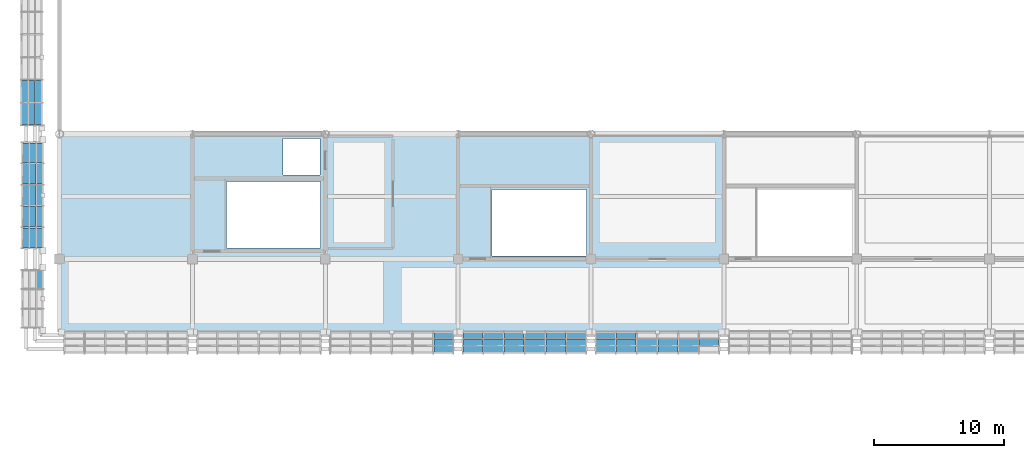
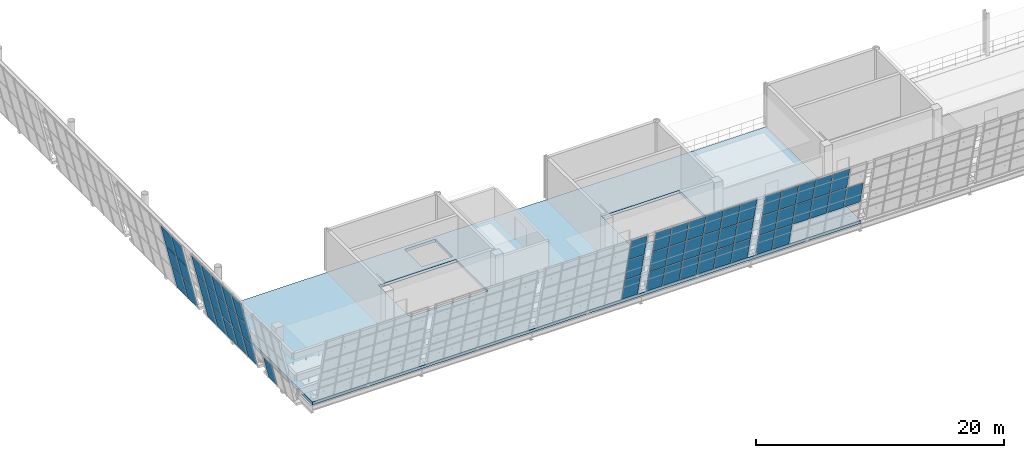
# One storey, part 101 of 157: 56 plates, 1 slab, 6 elements without a shape of their own.
"""IFC4 building model written with IfcOpenShell, lengths in metres."""

from ifc_helpers import new_model, si_unit, direction, frame, origin, place, context, subcontext, project, spatial, polyline, outline, extrude, material, layer, layer_set, type_object, element, aggregate, save


model = new_model("IFC4")

# Units and contexts
model_context = context("Model", 3, precision=1e-05, world=origin(), true_north=direction((0.0, 1.0)))
body_context = subcontext(model_context, "Body", "Model", "MODEL_VIEW")
ifc_project = project(units=[si_unit("LENGTHUNIT", "METRE"), si_unit("AREAUNIT", "SQUARE_METRE"), si_unit("VOLUMEUNIT", "CUBIC_METRE"), si_unit("PLANEANGLEUNIT", "RADIAN"), si_unit("MASSUNIT", "GRAM", prefix="KILO")], contexts=[model_context])

# Site, building, storey
site_placement = place(None, origin())
site = spatial("IfcSite", under=ifc_project, at=site_placement, CompositionType="ELEMENT")
building_placement = place(site_placement, origin())
building = spatial("IfcBuilding", under=site, at=building_placement, Name="Brelvane Convention Centre", CompositionType="ELEMENT")
storey_placement = place(building_placement, frame((0.0, 0.0, 10.800048828125)))
storey = spatial("IfcBuildingStorey", under=building, at=storey_placement, Name="L02", CompositionType="ELEMENT", Elevation=10.800048828125)

# Curtain wall, plates
ifc_material_1 = material(Name="Anodised Aluminium Alloy 6063-T6", Category="aluminium")
curtain_wall_type = type_object("IfcCurtainWallType", Name="Curtain Wall CW-HULL-S", PredefinedType="USERDEFINED", material=ifc_material_1)
curtain_wall_1_placement = place(storey_placement, origin())
curtain_wall_1 = element("IfcCurtainWall", 1, at=curtain_wall_1_placement, inside=storey, type_object=curtain_wall_type, Name="Curtain Wall CW-HULL-S L02-HULL-S-L02-03", ObjectType="UNITISED", PredefinedType="USERDEFINED")
ifc_material_2 = material(Name="Double Glazed Low-E Laminated Unit")
ifc_layer_1 = layer(ifc_material_2, 0.0380859375)
ifc_layer_set_1 = layer_set([ifc_layer_1], Name="Double Glazed Low-E Laminated Unit")
plate_type_1 = type_object("IfcPlateType", Name="Curtain Panel CW-PG2", PredefinedType="CURTAIN_PANEL", material=ifc_layer_set_1)
plate_1_placement = place(storey_placement, frame((28.7265625, 13.05517578125, 2.3232421875), z_axis=(0.0, 0.973573977576, 0.228371868203), x_axis=(1.0, 0.0, 0.0)))
plate_1 = element("IfcPlate", 2, at=plate_1_placement, type_object=plate_type_1, Name="CW-HULL-S panel 6.2", PredefinedType="CURTAIN_PANEL", context=body_context, shape_type="SweptSolid", body=[
    extrude(outline(polyline([(0.0, 0.0), (1.473388671875, 0.0), (1.473388671875, -2.2631758771022032), (0.0, -2.2631758771022032), (0.0, 0.0)])), origin(), (0.0, 0.0, -1.0), 0.0380859375),
])
plate_2_placement = place(storey_placement, frame((28.7265625, 12.51953125, 4.606689453125), z_axis=(0.0, 0.973586933466, 0.228316628794), x_axis=(1.0, 0.0, 0.0)))
plate_2 = element("IfcPlate", 3, at=plate_2_placement, type_object=plate_type_1, Name="CW-HULL-S panel 6.3", PredefinedType="CURTAIN_PANEL", context=body_context, shape_type="SweptSolid", body=[
    extrude(outline(polyline([(0.0, 0.0), (1.473388671875, 0.0), (1.473388671875, -2.2220204521674902), (0.0, -2.2220204521674902), (0.0, 0.0)])), origin(), (0.0, 0.0, -1.0), 0.0380859375),
])

curtain_wall_2_placement = place(storey_placement, origin())
curtain_wall_2 = element("IfcCurtainWall", 4, at=curtain_wall_2_placement, inside=storey, type_object=curtain_wall_type, Name="Curtain Wall CW-HULL-S L02-HULL-S-L02-04", ObjectType="UNITISED", PredefinedType="USERDEFINED")
plate_3_placement = place(storey_placement, frame((31.0, 13.05517578125, 2.3232421875), z_axis=(0.0, 0.973573977576, 0.228371868203), x_axis=(1.0, 0.0, 0.0)))
plate_3 = element("IfcPlate", 5, at=plate_3_placement, type_object=plate_type_1, Name="CW-HULL-S panel 1.2", PredefinedType="CURTAIN_PANEL", context=body_context, shape_type="SweptSolid", body=[
    extrude(outline(polyline([(0.0, 0.0), (1.473388671875, 0.0), (1.473388671875, -2.2631758771022032), (0.0, -2.2631758771022032), (0.0, 0.0)])), origin(), (0.0, 0.0, -1.0), 0.0380859375),
])
plate_4_placement = place(storey_placement, frame((31.0, 12.51953125, 4.606689453125), z_axis=(0.0, 0.973586933466, 0.228316628794), x_axis=(1.0, 0.0, 0.0)))
plate_4 = element("IfcPlate", 6, at=plate_4_placement, type_object=plate_type_1, Name="CW-HULL-S panel 1.3", PredefinedType="CURTAIN_PANEL", context=body_context, shape_type="SweptSolid", body=[
    extrude(outline(polyline([(0.0, 0.0), (1.473388671875, 0.0), (1.473388671875, -2.2220204521674902), (0.0, -2.2220204521674902), (0.0, 0.0)])), origin(), (0.0, 0.0, -1.0), 0.0380859375),
])
plate_5_placement = place(storey_placement, frame((32.55322265625, 13.05517578125, 2.3232421875), z_axis=(0.0, 0.973573977576, 0.228371868203), x_axis=(1.0, 0.0, 0.0)))
plate_5 = element("IfcPlate", 7, at=plate_5_placement, type_object=plate_type_1, Name="CW-HULL-S panel 2.2", PredefinedType="CURTAIN_PANEL", context=body_context, shape_type="SweptSolid", body=[
    extrude(outline(polyline([(0.0, 0.0), (1.513427734375, 0.0), (1.513427734375, -2.2631758771022032), (0.0, -2.2631758771022032), (0.0, 0.0)])), origin(), (0.0, 0.0, -1.0), 0.0380859375),
])
plate_6_placement = place(storey_placement, frame((32.55322265625, 12.51953125, 4.606689453125), z_axis=(0.0, 0.973586933466, 0.228316628794), x_axis=(1.0, 0.0, 0.0)))
plate_6 = element("IfcPlate", 8, at=plate_6_placement, type_object=plate_type_1, Name="CW-HULL-S panel 2.3", PredefinedType="CURTAIN_PANEL", context=body_context, shape_type="SweptSolid", body=[
    extrude(outline(polyline([(0.0, 0.0), (1.513427734375, 0.0), (1.513427734375, -2.2220204521674902), (0.0, -2.2220204521674902), (0.0, 0.0)])), origin(), (0.0, 0.0, -1.0), 0.0380859375),
])
plate_7_placement = place(storey_placement, frame((34.146728515625, 13.05517578125, 2.3232421875), z_axis=(0.0, 0.973573977576, 0.228371868203), x_axis=(1.0, 0.0, 0.0)))
plate_7 = element("IfcPlate", 9, at=plate_7_placement, type_object=plate_type_1, Name="CW-HULL-S panel 3.2", PredefinedType="CURTAIN_PANEL", context=body_context, shape_type="SweptSolid", body=[
    extrude(outline(polyline([(0.0, 0.0), (1.51318359375, 0.0), (1.51318359375, -2.2631758771022032), (0.0, -2.2631758771022032), (0.0, 0.0)])), origin(), (0.0, 0.0, -1.0), 0.0380859375),
])
plate_8_placement = place(storey_placement, frame((34.146728515625, 12.51953125, 4.606689453125), z_axis=(0.0, 0.973586933466, 0.228316628794), x_axis=(1.0, 0.0, 0.0)))
plate_8 = element("IfcPlate", 10, at=plate_8_placement, type_object=plate_type_1, Name="CW-HULL-S panel 3.3", PredefinedType="CURTAIN_PANEL", context=body_context, shape_type="SweptSolid", body=[
    extrude(outline(polyline([(0.0, 0.0), (1.51318359375, 0.0), (1.51318359375, -2.2220204521674902), (0.0, -2.2220204521674902), (0.0, 0.0)])), origin(), (0.0, 0.0, -1.0), 0.0380859375),
])
plate_9_placement = place(storey_placement, frame((35.739990234375, 13.05517578125, 2.3232421875), z_axis=(0.0, 0.973573977576, 0.228371868203), x_axis=(1.0, 0.0, 0.0)))
plate_9 = element("IfcPlate", 11, at=plate_9_placement, type_object=plate_type_1, Name="CW-HULL-S panel 4.2", PredefinedType="CURTAIN_PANEL", context=body_context, shape_type="SweptSolid", body=[
    extrude(outline(polyline([(0.0, 0.0), (1.513427734375, 0.0), (1.513427734375, -2.2631758771022032), (0.0, -2.2631758771022032), (0.0, 0.0)])), origin(), (0.0, 0.0, -1.0), 0.0380859375),
])
plate_10_placement = place(storey_placement, frame((35.739990234375, 12.51953125, 4.606689453125), z_axis=(0.0, 0.973586933466, 0.228316628794), x_axis=(1.0, 0.0, 0.0)))
plate_10 = element("IfcPlate", 12, at=plate_10_placement, type_object=plate_type_1, Name="CW-HULL-S panel 4.3", PredefinedType="CURTAIN_PANEL", context=body_context, shape_type="SweptSolid", body=[
    extrude(outline(polyline([(0.0, 0.0), (1.513427734375, 0.0), (1.513427734375, -2.2220204521674902), (0.0, -2.2220204521674902), (0.0, 0.0)])), origin(), (0.0, 0.0, -1.0), 0.0380859375),
])
plate_11_placement = place(storey_placement, frame((37.333251953125, 13.05517578125, 2.3232421875), z_axis=(0.0, 0.973573977576, 0.228371868203), x_axis=(1.0, 0.0, 0.0)))
plate_11 = element("IfcPlate", 13, at=plate_11_placement, type_object=plate_type_1, Name="CW-HULL-S panel 5.2", PredefinedType="CURTAIN_PANEL", context=body_context, shape_type="SweptSolid", body=[
    extrude(outline(polyline([(0.0, 0.0), (1.513427734375, 0.0), (1.513427734375, -2.2631758771022032), (0.0, -2.2631758771022032), (0.0, 0.0)])), origin(), (0.0, 0.0, -1.0), 0.0380859375),
])
plate_12_placement = place(storey_placement, frame((37.333251953125, 12.51953125, 4.606689453125), z_axis=(0.0, 0.973586933466, 0.228316628794), x_axis=(1.0, 0.0, 0.0)))
plate_12 = element("IfcPlate", 14, at=plate_12_placement, type_object=plate_type_1, Name="CW-HULL-S panel 5.3", PredefinedType="CURTAIN_PANEL", context=body_context, shape_type="SweptSolid", body=[
    extrude(outline(polyline([(0.0, 0.0), (1.513427734375, 0.0), (1.513427734375, -2.2220204521674902), (0.0, -2.2220204521674902), (0.0, 0.0)])), origin(), (0.0, 0.0, -1.0), 0.0380859375),
])
plate_13_placement = place(storey_placement, frame((38.9267578125, 13.05517578125, 2.3232421875), z_axis=(0.0, 0.973573977576, 0.228371868203), x_axis=(1.0, 0.0, 0.0)))
plate_13 = element("IfcPlate", 15, at=plate_13_placement, type_object=plate_type_1, Name="CW-HULL-S panel 6.2", PredefinedType="CURTAIN_PANEL", context=body_context, shape_type="SweptSolid", body=[
    extrude(outline(polyline([(0.0, 0.0), (1.47314453125, 0.0), (1.47314453125, -2.2631758771022032), (0.0, -2.2631758771022032), (0.0, 0.0)])), origin(), (0.0, 0.0, -1.0), 0.0380859375),
])
plate_14_placement = place(storey_placement, frame((38.9267578125, 12.51953125, 4.606689453125), z_axis=(0.0, 0.973586933466, 0.228316628794), x_axis=(1.0, 0.0, 0.0)))
plate_14 = element("IfcPlate", 16, at=plate_14_placement, type_object=plate_type_1, Name="CW-HULL-S panel 6.3", PredefinedType="CURTAIN_PANEL", context=body_context, shape_type="SweptSolid", body=[
    extrude(outline(polyline([(0.0, 0.0), (1.47314453125, 0.0), (1.47314453125, -2.2220204521674902), (0.0, -2.2220204521674902), (0.0, 0.0)])), origin(), (0.0, 0.0, -1.0), 0.0380859375),
])

curtain_wall_3_placement = place(storey_placement, origin())
curtain_wall_3 = element("IfcCurtainWall", 17, at=curtain_wall_3_placement, inside=storey, type_object=curtain_wall_type, Name="Curtain Wall CW-HULL-S L02-HULL-S-L02-05", ObjectType="UNITISED", PredefinedType="USERDEFINED")
plate_15_placement = place(storey_placement, frame((41.199951171875, 13.05517578125, 2.3232421875), z_axis=(0.0, 0.973573977576, 0.228371868203), x_axis=(1.0, 0.0, 0.0)))
plate_15 = element("IfcPlate", 18, at=plate_15_placement, type_object=plate_type_1, Name="CW-HULL-S panel 1.2", PredefinedType="CURTAIN_PANEL", context=body_context, shape_type="SweptSolid", body=[
    extrude(outline(polyline([(0.0, 0.0), (1.473388671875, 0.0), (1.473388671875, -2.2631758771022032), (0.0, -2.2631758771022032), (0.0, 0.0)])), origin(), (0.0, 0.0, -1.0), 0.0380859375),
])
plate_16_placement = place(storey_placement, frame((41.199951171875, 12.51953125, 4.606689453125), z_axis=(0.0, 0.973586933466, 0.228316628794), x_axis=(1.0, 0.0, 0.0)))
plate_16 = element("IfcPlate", 19, at=plate_16_placement, type_object=plate_type_1, Name="CW-HULL-S panel 1.3", PredefinedType="CURTAIN_PANEL", context=body_context, shape_type="SweptSolid", body=[
    extrude(outline(polyline([(0.0, 0.0), (1.473388671875, 0.0), (1.473388671875, -2.2220204521674902), (0.0, -2.2220204521674902), (0.0, 0.0)])), origin(), (0.0, 0.0, -1.0), 0.0380859375),
])
plate_17_placement = place(storey_placement, frame((42.75341796875, 13.05517578125, 2.3232421875), z_axis=(0.0, 0.973573977576, 0.228371868203), x_axis=(1.0, 0.0, 0.0)))
plate_17 = element("IfcPlate", 20, at=plate_17_placement, type_object=plate_type_1, Name="CW-HULL-S panel 2.2", PredefinedType="CURTAIN_PANEL", context=body_context, shape_type="SweptSolid", body=[
    extrude(outline(polyline([(0.0, 0.0), (1.51318359375, 0.0), (1.51318359375, -2.2631758771022032), (0.0, -2.2631758771022032), (0.0, 0.0)])), origin(), (0.0, 0.0, -1.0), 0.0380859375),
])
plate_18_placement = place(storey_placement, frame((42.75341796875, 12.51953125, 4.606689453125), z_axis=(0.0, 0.973586933466, 0.228316628794), x_axis=(1.0, 0.0, 0.0)))
plate_18 = element("IfcPlate", 21, at=plate_18_placement, type_object=plate_type_1, Name="CW-HULL-S panel 2.3", PredefinedType="CURTAIN_PANEL", context=body_context, shape_type="SweptSolid", body=[
    extrude(outline(polyline([(0.0, 0.0), (1.51318359375, 0.0), (1.51318359375, -2.2220204521674902), (0.0, -2.2220204521674902), (0.0, 0.0)])), origin(), (0.0, 0.0, -1.0), 0.0380859375),
])
plate_19_placement = place(storey_placement, frame((44.3466796875, 13.05517578125, 2.3232421875), z_axis=(0.0, 0.973573977576, 0.228371868203), x_axis=(1.0, 0.0, 0.0)))
plate_19 = element("IfcPlate", 22, at=plate_19_placement, type_object=plate_type_1, Name="CW-HULL-S panel 3.2", PredefinedType="CURTAIN_PANEL", context=body_context, shape_type="SweptSolid", body=[
    extrude(outline(polyline([(0.0, 0.0), (1.513427734375, 0.0), (1.513427734375, -2.2631758771022032), (0.0, -2.2631758771022032), (0.0, 0.0)])), origin(), (0.0, 0.0, -1.0), 0.0380859375),
])
plate_20_placement = place(storey_placement, frame((44.3466796875, 12.51953125, 4.606689453125), z_axis=(0.0, 0.973586933466, 0.228316628794), x_axis=(1.0, 0.0, 0.0)))
plate_20 = element("IfcPlate", 23, at=plate_20_placement, type_object=plate_type_1, Name="CW-HULL-S panel 3.3", PredefinedType="CURTAIN_PANEL", context=body_context, shape_type="SweptSolid", body=[
    extrude(outline(polyline([(0.0, 0.0), (1.513427734375, 0.0), (1.513427734375, -2.2220204521674902), (0.0, -2.2220204521674902), (0.0, 0.0)])), origin(), (0.0, 0.0, -1.0), 0.0380859375),
])
plate_21_placement = place(storey_placement, frame((45.93994140625, 13.05517578125, 2.3232421875), z_axis=(0.0, 0.973573977576, 0.228371868203), x_axis=(1.0, 0.0, 0.0)))
plate_21 = element("IfcPlate", 24, at=plate_21_placement, type_object=plate_type_1, Name="CW-HULL-S panel 4.2", PredefinedType="CURTAIN_PANEL", context=body_context, shape_type="SweptSolid", body=[
    extrude(outline(polyline([(0.0, 0.0), (1.513427734375, 0.0), (1.513427734375, -2.2631758771022032), (0.0, -2.2631758771022032), (0.0, 0.0)])), origin(), (0.0, 0.0, -1.0), 0.0380859375),
])
plate_22_placement = place(storey_placement, frame((45.93994140625, 12.51953125, 4.606689453125), z_axis=(0.0, 0.973586933466, 0.228316628794), x_axis=(1.0, 0.0, 0.0)))
plate_22 = element("IfcPlate", 25, at=plate_22_placement, type_object=plate_type_1, Name="CW-HULL-S panel 4.3", PredefinedType="CURTAIN_PANEL", context=body_context, shape_type="SweptSolid", body=[
    extrude(outline(polyline([(0.0, 0.0), (1.513427734375, 0.0), (1.513427734375, -2.2220204521674902), (0.0, -2.2220204521674902), (0.0, 0.0)])), origin(), (0.0, 0.0, -1.0), 0.0380859375),
])
plate_23_placement = place(storey_placement, frame((47.533447265625, 13.05517578125, 2.3232421875), z_axis=(0.0, 0.973573977576, 0.228371868203), x_axis=(1.0, 0.0, 0.0)))
plate_23 = element("IfcPlate", 26, at=plate_23_placement, type_object=plate_type_1, Name="CW-HULL-S panel 5.2", PredefinedType="CURTAIN_PANEL", context=body_context, shape_type="SweptSolid", body=[
    extrude(outline(polyline([(0.0, 0.0), (1.51318359375, 0.0), (1.51318359375, -2.2631758771022032), (0.0, -2.2631758771022032), (0.0, 0.0)])), origin(), (0.0, 0.0, -1.0), 0.0380859375),
])
plate_24_placement = place(storey_placement, frame((47.533447265625, 12.51953125, 4.606689453125), z_axis=(0.0, 0.973586933466, 0.228316628794), x_axis=(1.0, 0.0, 0.0)))
plate_24 = element("IfcPlate", 27, at=plate_24_placement, type_object=plate_type_1, Name="CW-HULL-S panel 5.3", PredefinedType="CURTAIN_PANEL", context=body_context, shape_type="SweptSolid", body=[
    extrude(outline(polyline([(0.0, 0.0), (1.51318359375, 0.0), (1.51318359375, -2.2220204521674902), (0.0, -2.2220204521674902), (0.0, 0.0)])), origin(), (0.0, 0.0, -1.0), 0.0380859375),
])
plate_25_placement = place(storey_placement, frame((49.126708984375, 13.05517578125, 2.3232421875), z_axis=(0.0, 0.973573977576, 0.228371868203), x_axis=(1.0, 0.0, 0.0)))
plate_25 = element("IfcPlate", 28, at=plate_25_placement, type_object=plate_type_1, Name="CW-HULL-S panel 6.2", PredefinedType="CURTAIN_PANEL", context=body_context, shape_type="SweptSolid", body=[
    extrude(outline(polyline([(0.0, 0.0), (1.473388671875, 0.0), (1.473388671875, -2.2631758771022032), (0.0, -2.2631758771022032), (0.0, 0.0)])), origin(), (0.0, 0.0, -1.0), 0.0380859375),
])

curtain_wall_4_placement = place(storey_placement, origin())
curtain_wall_4 = element("IfcCurtainWall", 29, at=curtain_wall_4_placement, inside=storey, type_object=curtain_wall_type, Name="Curtain Wall CW-HULL-S L02-HULL-W-GAL-L02-B", ObjectType="UNITISED", PredefinedType="USERDEFINED")
plate_26_placement = place(storey_placement, frame((-1.817138671875, 20.080078125, 2.2900390625), z_axis=(0.973570660976, 0.0, 0.228386006766), x_axis=(0.0, 1.0, 0.0)))
plate_26 = element("IfcPlate", 30, at=plate_26_placement, type_object=plate_type_1, Name="CW-HULL-S panel 1.2", PredefinedType="CURTAIN_PANEL", context=body_context, shape_type="SweptSolid", body=[
    extrude(outline(polyline([(0.0, 0.0), (1.52001953125, 0.0), (1.52001953125, 2.2288283346833184), (0.0, 2.2288283346833184), (0.0, 0.0)])), origin(), (0.0, 0.0, -1.0), 0.0380859375),
])
plate_27_placement = place(storey_placement, frame((-2.3447265625, 20.080078125, 4.5400390625), z_axis=(0.973558945432, 0.0, 0.228435942377), x_axis=(0.0, 1.0, 0.0)))
plate_27 = element("IfcPlate", 31, at=plate_27_placement, type_object=plate_type_1, Name="CW-HULL-S panel 1.3", PredefinedType="CURTAIN_PANEL", context=body_context, shape_type="SweptSolid", body=[
    extrude(outline(polyline([(0.0, 0.0), (1.52001953125, 0.0), (1.52001953125, 2.18772866552563), (0.0, 2.18772866552563), (0.0, 0.0)])), origin(), (0.0, 0.0, -1.0), 0.0380859375),
])
plate_28_placement = place(storey_placement, frame((-1.817138671875, 21.679931640625, 2.2900390625), z_axis=(0.973570660976, 0.0, 0.228386006766), x_axis=(0.0, 1.0, 0.0)))
plate_28 = element("IfcPlate", 32, at=plate_28_placement, type_object=plate_type_1, Name="CW-HULL-S panel 2.2", PredefinedType="CURTAIN_PANEL", context=body_context, shape_type="SweptSolid", body=[
    extrude(outline(polyline([(0.0, 0.0), (1.56005859375, 0.0), (1.56005859375, 2.2288283346833184), (0.0, 2.2288283346833184), (0.0, 0.0)])), origin(), (0.0, 0.0, -1.0), 0.0380859375),
])
plate_29_placement = place(storey_placement, frame((-2.3447265625, 21.679931640625, 4.5400390625), z_axis=(0.973558945432, 0.0, 0.228435942377), x_axis=(0.0, 1.0, 0.0)))
plate_29 = element("IfcPlate", 33, at=plate_29_placement, type_object=plate_type_1, Name="CW-HULL-S panel 2.3", PredefinedType="CURTAIN_PANEL", context=body_context, shape_type="SweptSolid", body=[
    extrude(outline(polyline([(0.0, 0.0), (1.56005859375, 0.0), (1.56005859375, 2.18772866552563), (0.0, 2.18772866552563), (0.0, 0.0)])), origin(), (0.0, 0.0, -1.0), 0.0380859375),
])
plate_30_placement = place(storey_placement, frame((-1.817138671875, 23.320068359375, 2.2900390625), z_axis=(0.973570660976, 0.0, 0.228386006766), x_axis=(0.0, 1.0, 0.0)))
plate_30 = element("IfcPlate", 34, at=plate_30_placement, type_object=plate_type_1, Name="CW-HULL-S panel 3.2", PredefinedType="CURTAIN_PANEL", context=body_context, shape_type="SweptSolid", body=[
    extrude(outline(polyline([(0.0, 0.0), (1.559814453125, 0.0), (1.559814453125, 2.2288283346833184), (0.0, 2.2288283346833184), (0.0, 0.0)])), origin(), (0.0, 0.0, -1.0), 0.0380859375),
])
plate_31_placement = place(storey_placement, frame((-2.3447265625, 23.320068359375, 4.5400390625), z_axis=(0.973558945432, 0.0, 0.228435942377), x_axis=(0.0, 1.0, 0.0)))
plate_31 = element("IfcPlate", 35, at=plate_31_placement, type_object=plate_type_1, Name="CW-HULL-S panel 3.3", PredefinedType="CURTAIN_PANEL", context=body_context, shape_type="SweptSolid", body=[
    extrude(outline(polyline([(0.0, 0.0), (1.559814453125, 0.0), (1.559814453125, 2.18772866552563), (0.0, 2.18772866552563), (0.0, 0.0)])), origin(), (0.0, 0.0, -1.0), 0.0380859375),
])
plate_32_placement = place(storey_placement, frame((-1.817138671875, 24.9599609375, 2.2900390625), z_axis=(0.973570660976, 0.0, 0.228386006766), x_axis=(0.0, 1.0, 0.0)))
plate_32 = element("IfcPlate", 36, at=plate_32_placement, type_object=plate_type_1, Name="CW-HULL-S panel 4.2", PredefinedType="CURTAIN_PANEL", context=body_context, shape_type="SweptSolid", body=[
    extrude(outline(polyline([(0.0, 0.0), (1.56005859375, 0.0), (1.56005859375, 2.2288283346833184), (0.0, 2.2288283346833184), (0.0, 0.0)])), origin(), (0.0, 0.0, -1.0), 0.0380859375),
])
plate_33_placement = place(storey_placement, frame((-2.3447265625, 24.9599609375, 4.5400390625), z_axis=(0.973558945432, 0.0, 0.228435942377), x_axis=(0.0, 1.0, 0.0)))
plate_33 = element("IfcPlate", 37, at=plate_33_placement, type_object=plate_type_1, Name="CW-HULL-S panel 4.3", PredefinedType="CURTAIN_PANEL", context=body_context, shape_type="SweptSolid", body=[
    extrude(outline(polyline([(0.0, 0.0), (1.56005859375, 0.0), (1.56005859375, 2.18772866552563), (0.0, 2.18772866552563), (0.0, 0.0)])), origin(), (0.0, 0.0, -1.0), 0.0380859375),
])
plate_34_placement = place(storey_placement, frame((-1.817138671875, 26.60009765625, 2.2900390625), z_axis=(0.973570660976, 0.0, 0.228386006766), x_axis=(0.0, 1.0, 0.0)))
plate_34 = element("IfcPlate", 38, at=plate_34_placement, type_object=plate_type_1, Name="CW-HULL-S panel 5.2", PredefinedType="CURTAIN_PANEL", context=body_context, shape_type="SweptSolid", body=[
    extrude(outline(polyline([(0.0, 0.0), (1.52001953125, 0.0), (1.52001953125, 2.2288283346833184), (0.0, 2.2288283346833184), (0.0, 0.0)])), origin(), (0.0, 0.0, -1.0), 0.0380859375),
])
plate_35_placement = place(storey_placement, frame((-2.3447265625, 26.60009765625, 4.5400390625), z_axis=(0.973558945432, 0.0, 0.228435942377), x_axis=(0.0, 1.0, 0.0)))
plate_35 = element("IfcPlate", 39, at=plate_35_placement, type_object=plate_type_1, Name="CW-HULL-S panel 5.3", PredefinedType="CURTAIN_PANEL", context=body_context, shape_type="SweptSolid", body=[
    extrude(outline(polyline([(0.0, 0.0), (1.52001953125, 0.0), (1.52001953125, 2.18772866552563), (0.0, 2.18772866552563), (0.0, 0.0)])), origin(), (0.0, 0.0, -1.0), 0.0380859375),
])

curtain_wall_5_placement = place(storey_placement, origin())
curtain_wall_5 = element("IfcCurtainWall", 40, at=curtain_wall_5_placement, inside=storey, type_object=curtain_wall_type, Name="Curtain Wall CW-HULL-S L02-HULL-W-L02-1", ObjectType="UNITISED", PredefinedType="USERDEFINED")
plate_36_placement = place(storey_placement, frame((-1.89599609375, 29.52490234375, 2.284912109375), z_axis=(0.973585642401, 0.0, 0.228322134079), x_axis=(0.0, 1.0, 0.0)))
plate_36 = element("IfcPlate", 41, at=plate_36_placement, type_object=plate_type_1, Name="CW-HULL-S panel 1.2", PredefinedType="CURTAIN_PANEL", context=body_context, shape_type="SweptSolid", body=[
    extrude(outline(polyline([(0.0, 0.0), (1.6376953125, 0.0), (1.6376953125, 2.239075378359636), (0.0, 2.239075378359636), (0.0, 0.0)])), origin(), (0.0, 0.0, -1.0), 0.0380859375),
])
plate_37_placement = place(storey_placement, frame((-2.423583984375, 29.52490234375, 4.534912109375), z_axis=(0.973572440639, 0.0, 0.228378420232), x_axis=(0.0, 1.0, 0.0)))
plate_37 = element("IfcPlate", 42, at=plate_37_placement, type_object=plate_type_1, Name="CW-HULL-S panel 1.3", PredefinedType="CURTAIN_PANEL", context=body_context, shape_type="SweptSolid", body=[
    extrude(outline(polyline([(0.0, 0.0), (1.6376953125, 0.0), (1.6376953125, 2.203245944227275), (0.0, 2.203245944227275), (0.0, 0.0)])), origin(), (0.0, 0.0, -1.0), 0.0380859375),
])
plate_38_placement = place(storey_placement, frame((-1.89599609375, 31.237548828125, 2.284912109375), z_axis=(0.973585642401, 0.0, 0.228322134079), x_axis=(0.0, 1.0, 0.0)))
plate_38 = element("IfcPlate", 43, at=plate_38_placement, type_object=plate_type_1, Name="CW-HULL-S panel 2.2", PredefinedType="CURTAIN_PANEL", context=body_context, shape_type="SweptSolid", body=[
    extrude(outline(polyline([(0.0, 0.0), (1.675048828125, 0.0), (1.675048828125, 2.2390753783596367), (0.0, 2.2390753783596367), (0.0, 0.0)])), origin(), (0.0, 0.0, -1.0), 0.0380859375),
])
plate_39_placement = place(storey_placement, frame((-2.423583984375, 31.237548828125, 4.534912109375), z_axis=(0.973572440639, 0.0, 0.228378420232), x_axis=(0.0, 1.0, 0.0)))
plate_39 = element("IfcPlate", 44, at=plate_39_placement, type_object=plate_type_1, Name="CW-HULL-S panel 2.3", PredefinedType="CURTAIN_PANEL", context=body_context, shape_type="SweptSolid", body=[
    extrude(outline(polyline([(0.0, 0.0), (1.675048828125, 0.0), (1.675048828125, 2.203245944227275), (0.0, 2.203245944227275), (0.0, 0.0)])), origin(), (0.0, 0.0, -1.0), 0.0380859375),
])

# Plate
ifc_material_3 = material(Name="Patinated Copper-Bronze Alloy C22000")
ifc_layer_2 = layer(ifc_material_3, 0.055908203125)
ifc_layer_set_2 = layer_set([ifc_layer_2], Name="Patinated Copper-Bronze Alloy C22000")
plate_type_2 = type_object("IfcPlateType", Name="Curtain Panel CW-PS2", PredefinedType="CURTAIN_PANEL", material=ifc_layer_set_2)
plate_40_placement = place(storey_placement, frame((28.7265625, 13.581298828125, 0.079833984375), z_axis=(0.0, 0.973562505213, 0.228420770606), x_axis=(1.0, 0.0, 0.0)))
plate_40 = element("IfcPlate", 45, at=plate_40_placement, type_object=plate_type_2, Name="CW-HULL-S panel 6.1", PredefinedType="CURTAIN_PANEL", context=body_context, shape_type="SweptSolid", body=[
    extrude(outline(polyline([(0.0, 0.0), (1.473388671875, 0.0), (1.473388671875, -2.222076206244725), (0.0, -2.222076206244725), (0.0, 0.0)])), origin(), (0.0, 0.0, -1.0), 0.0380859375),
])

aggregate(curtain_wall_1, [plate_40, plate_1, plate_2])

plate_41_placement = place(storey_placement, frame((31.0, 13.581298828125, 0.079833984375), z_axis=(0.0, 0.973562505213, 0.228420770606), x_axis=(1.0, 0.0, 0.0)))
plate_41 = element("IfcPlate", 46, at=plate_41_placement, type_object=plate_type_2, Name="CW-HULL-S panel 1.1", PredefinedType="CURTAIN_PANEL", context=body_context, shape_type="SweptSolid", body=[
    extrude(outline(polyline([(0.0, 0.0), (1.473388671875, 0.0), (1.473388671875, -2.222076206244725), (0.0, -2.222076206244725), (0.0, 0.0)])), origin(), (0.0, 0.0, -1.0), 0.0380859375),
])

plate_42_placement = place(storey_placement, frame((32.55322265625, 13.581298828125, 0.079833984375), z_axis=(0.0, 0.973562505213, 0.228420770606), x_axis=(1.0, 0.0, 0.0)))
plate_42 = element("IfcPlate", 47, at=plate_42_placement, type_object=plate_type_2, Name="CW-HULL-S panel 2.1", PredefinedType="CURTAIN_PANEL", context=body_context, shape_type="SweptSolid", body=[
    extrude(outline(polyline([(0.0, 0.0), (1.513427734375, 0.0), (1.513427734375, -2.2220762062447244), (0.0, -2.2220762062447244), (0.0, 0.0)])), origin(), (0.0, 0.0, -1.0), 0.0380859375),
])

plate_43_placement = place(storey_placement, frame((34.146728515625, 13.581298828125, 0.079833984375), z_axis=(0.0, 0.973562505213, 0.228420770606), x_axis=(1.0, 0.0, 0.0)))
plate_43 = element("IfcPlate", 48, at=plate_43_placement, type_object=plate_type_2, Name="CW-HULL-S panel 3.1", PredefinedType="CURTAIN_PANEL", context=body_context, shape_type="SweptSolid", body=[
    extrude(outline(polyline([(0.0, 0.0), (1.51318359375, 0.0), (1.51318359375, -2.2220762062447244), (0.0, -2.2220762062447244), (0.0, 0.0)])), origin(), (0.0, 0.0, -1.0), 0.0380859375),
])

plate_44_placement = place(storey_placement, frame((35.739990234375, 13.581298828125, 0.079833984375), z_axis=(0.0, 0.973562505213, 0.228420770606), x_axis=(1.0, 0.0, 0.0)))
plate_44 = element("IfcPlate", 49, at=plate_44_placement, type_object=plate_type_2, Name="CW-HULL-S panel 4.1", PredefinedType="CURTAIN_PANEL", context=body_context, shape_type="SweptSolid", body=[
    extrude(outline(polyline([(0.0, 0.0), (1.513427734375, 0.0), (1.513427734375, -2.2220762062447244), (0.0, -2.2220762062447244), (0.0, 0.0)])), origin(), (0.0, 0.0, -1.0), 0.0380859375),
])

plate_45_placement = place(storey_placement, frame((37.333251953125, 13.581298828125, 0.079833984375), z_axis=(0.0, 0.973562505213, 0.228420770606), x_axis=(1.0, 0.0, 0.0)))
plate_45 = element("IfcPlate", 50, at=plate_45_placement, type_object=plate_type_2, Name="CW-HULL-S panel 5.1", PredefinedType="CURTAIN_PANEL", context=body_context, shape_type="SweptSolid", body=[
    extrude(outline(polyline([(0.0, 0.0), (1.513427734375, 0.0), (1.513427734375, -2.2220762062447244), (0.0, -2.2220762062447244), (0.0, 0.0)])), origin(), (0.0, 0.0, -1.0), 0.0380859375),
])

plate_46_placement = place(storey_placement, frame((38.9267578125, 13.581298828125, 0.079833984375), z_axis=(0.0, 0.973562505213, 0.228420770606), x_axis=(1.0, 0.0, 0.0)))
plate_46 = element("IfcPlate", 51, at=plate_46_placement, type_object=plate_type_2, Name="CW-HULL-S panel 6.1", PredefinedType="CURTAIN_PANEL", context=body_context, shape_type="SweptSolid", body=[
    extrude(outline(polyline([(0.0, 0.0), (1.47314453125, 0.0), (1.47314453125, -2.222076206244725), (0.0, -2.222076206244725), (0.0, 0.0)])), origin(), (0.0, 0.0, -1.0), 0.0380859375),
])

aggregate(curtain_wall_2, [plate_41, plate_3, plate_4, plate_42, plate_5, plate_6, plate_43, plate_7, plate_8, plate_44, plate_9, plate_10, plate_45, plate_11, plate_12, plate_46, plate_13, plate_14])

plate_47_placement = place(storey_placement, frame((41.199951171875, 13.581298828125, 0.079833984375), z_axis=(0.0, 0.973562505213, 0.228420770606), x_axis=(1.0, 0.0, 0.0)))
plate_47 = element("IfcPlate", 52, at=plate_47_placement, type_object=plate_type_2, Name="CW-HULL-S panel 1.1", PredefinedType="CURTAIN_PANEL", context=body_context, shape_type="SweptSolid", body=[
    extrude(outline(polyline([(0.0, 0.0), (1.473388671875, 0.0), (1.473388671875, -2.222076206244725), (0.0, -2.222076206244725), (0.0, 0.0)])), origin(), (0.0, 0.0, -1.0), 0.0380859375),
])

plate_48_placement = place(storey_placement, frame((42.75341796875, 13.581298828125, 0.079833984375), z_axis=(0.0, 0.973562505213, 0.228420770606), x_axis=(1.0, 0.0, 0.0)))
plate_48 = element("IfcPlate", 53, at=plate_48_placement, type_object=plate_type_2, Name="CW-HULL-S panel 2.1", PredefinedType="CURTAIN_PANEL", context=body_context, shape_type="SweptSolid", body=[
    extrude(outline(polyline([(0.0, 0.0), (1.51318359375, 0.0), (1.51318359375, -2.2220762062447244), (0.0, -2.2220762062447244), (0.0, 0.0)])), origin(), (0.0, 0.0, -1.0), 0.0380859375),
])

aggregate(curtain_wall_3, [plate_47, plate_15, plate_16, plate_48, plate_17, plate_18, plate_19, plate_20, plate_21, plate_22, plate_23, plate_24, plate_25])

# Curtain wall, plate
curtain_wall_6_placement = place(storey_placement, origin())
curtain_wall_6 = element("IfcCurtainWall", 54, at=curtain_wall_6_placement, inside=storey, type_object=curtain_wall_type, Name="Curtain Wall CW-HULL-S L02-HULL-W-GAL-L02-A", ObjectType="UNITISED", PredefinedType="USERDEFINED")
plate_49_placement = place(storey_placement, frame((-1.298828125, 16.93994140625, 0.079833984375), z_axis=(0.973589575883, 0.0, 0.228305360717), x_axis=(0.0, 1.0, 0.0)))
plate_49 = element("IfcPlate", 55, at=plate_49_placement, type_object=plate_type_2, Name="CW-HULL-S panel 3.1", PredefinedType="CURTAIN_PANEL", context=body_context, shape_type="SweptSolid", body=[
    extrude(outline(polyline([(0.0, 0.0), (1.380126953125, 0.0), (1.380126953125, 2.187910600001329), (0.0, 2.187910600001329), (0.0, 0.0)])), origin(), (0.0, 0.0, -1.0), 0.0380859375),
])
aggregate(curtain_wall_6, [plate_49])

# Plate
plate_50_placement = place(storey_placement, frame((-1.298828125, 20.080078125, 0.079833984375), z_axis=(0.973589575883, 0.0, 0.228305360717), x_axis=(0.0, 1.0, 0.0)))
plate_50 = element("IfcPlate", 56, at=plate_50_placement, type_object=plate_type_2, Name="CW-HULL-S panel 1.1", PredefinedType="CURTAIN_PANEL", context=body_context, shape_type="SweptSolid", body=[
    extrude(outline(polyline([(0.0, 0.0), (1.52001953125, 0.0), (1.52001953125, 2.187910600001329), (0.0, 2.187910600001329), (0.0, 0.0)])), origin(), (0.0, 0.0, -1.0), 0.0380859375),
])

plate_51_placement = place(storey_placement, frame((-1.298828125, 21.679931640625, 0.079833984375), z_axis=(0.973589575883, 0.0, 0.228305360717), x_axis=(0.0, 1.0, 0.0)))
plate_51 = element("IfcPlate", 57, at=plate_51_placement, type_object=plate_type_2, Name="CW-HULL-S panel 2.1", PredefinedType="CURTAIN_PANEL", context=body_context, shape_type="SweptSolid", body=[
    extrude(outline(polyline([(0.0, 0.0), (1.56005859375, 0.0), (1.56005859375, 2.187910600001329), (0.0, 2.187910600001329), (0.0, 0.0)])), origin(), (0.0, 0.0, -1.0), 0.0380859375),
])

plate_52_placement = place(storey_placement, frame((-1.298828125, 23.320068359375, 0.079833984375), z_axis=(0.973589575883, 0.0, 0.228305360717), x_axis=(0.0, 1.0, 0.0)))
plate_52 = element("IfcPlate", 58, at=plate_52_placement, type_object=plate_type_2, Name="CW-HULL-S panel 3.1", PredefinedType="CURTAIN_PANEL", context=body_context, shape_type="SweptSolid", body=[
    extrude(outline(polyline([(0.0, 0.0), (1.559814453125, 0.0), (1.559814453125, 2.187910600001329), (0.0, 2.187910600001329), (0.0, 0.0)])), origin(), (0.0, 0.0, -1.0), 0.0380859375),
])

plate_53_placement = place(storey_placement, frame((-1.298828125, 24.9599609375, 0.079833984375), z_axis=(0.973589575883, 0.0, 0.228305360717), x_axis=(0.0, 1.0, 0.0)))
plate_53 = element("IfcPlate", 59, at=plate_53_placement, type_object=plate_type_2, Name="CW-HULL-S panel 4.1", PredefinedType="CURTAIN_PANEL", context=body_context, shape_type="SweptSolid", body=[
    extrude(outline(polyline([(0.0, 0.0), (1.56005859375, 0.0), (1.56005859375, 2.187910600001329), (0.0, 2.187910600001329), (0.0, 0.0)])), origin(), (0.0, 0.0, -1.0), 0.0380859375),
])

plate_54_placement = place(storey_placement, frame((-1.298828125, 26.60009765625, 0.079833984375), z_axis=(0.973589575883, 0.0, 0.228305360717), x_axis=(0.0, 1.0, 0.0)))
plate_54 = element("IfcPlate", 60, at=plate_54_placement, type_object=plate_type_2, Name="CW-HULL-S panel 5.1", PredefinedType="CURTAIN_PANEL", context=body_context, shape_type="SweptSolid", body=[
    extrude(outline(polyline([(0.0, 0.0), (1.52001953125, 0.0), (1.52001953125, 2.187910600001329), (0.0, 2.187910600001329), (0.0, 0.0)])), origin(), (0.0, 0.0, -1.0), 0.0380859375),
])

aggregate(curtain_wall_4, [plate_50, plate_26, plate_27, plate_51, plate_28, plate_29, plate_52, plate_30, plate_31, plate_53, plate_32, plate_33, plate_54, plate_34, plate_35])

plate_55_placement = place(storey_placement, frame((-1.37646484375, 29.52490234375, 0.070068359375), z_axis=(0.973566660245, 0.0, 0.228403060531), x_axis=(0.0, 1.0, 0.0)))
plate_55 = element("IfcPlate", 61, at=plate_55_placement, type_object=plate_type_2, Name="CW-HULL-S panel 1.1", PredefinedType="CURTAIN_PANEL", context=body_context, shape_type="SweptSolid", body=[
    extrude(outline(polyline([(0.0, 0.0), (1.6376953125, 0.0), (1.6376953125, 2.203008256348711), (0.0, 2.203008256348711), (0.0, 0.0)])), origin(), (0.0, 0.0, -1.0), 0.0380859375),
])

plate_56_placement = place(storey_placement, frame((-1.37646484375, 31.237548828125, 0.070068359375), z_axis=(0.973566660245, 0.0, 0.228403060531), x_axis=(0.0, 1.0, 0.0)))
plate_56 = element("IfcPlate", 62, at=plate_56_placement, type_object=plate_type_2, Name="CW-HULL-S panel 2.1", PredefinedType="CURTAIN_PANEL", context=body_context, shape_type="SweptSolid", body=[
    extrude(outline(polyline([(0.0, 0.0), (1.675048828125, 0.0), (1.675048828125, 2.2030082563487112), (0.0, 2.2030082563487112), (0.0, 0.0)])), origin(), (0.0, 0.0, -1.0), 0.0380859375),
])

aggregate(curtain_wall_5, [plate_55, plate_36, plate_37, plate_56, plate_38, plate_39])

# Slab
ifc_material_4 = material(Name="Concrete M40", Category="concrete")
ifc_layer_3 = layer(ifc_material_4, 0.280029296875)
ifc_layer_set_3 = layer_set([ifc_layer_3], Name="Concrete M40")
slab_type = type_object("IfcSlabType", Name="Structural Slab SL-FLR-280", PredefinedType="FLOOR", material=ifc_layer_set_3)
slab_placement = place(storey_placement, frame((0.0, 0.0, -0.280029296875)))
element("IfcSlab", 63, at=slab_placement, inside=storey, type_object=slab_type, Name="L02 Floor Slab V1G-W", PredefinedType="FLOOR", context=body_context, shape_type="SweptSolid", body=[
    extrude(outline(polyline([(0.0, 13.60009765625), (51.0, 13.60009765625), (51.0, 28.800048828125), (0.0, 28.800048828125), (0.0, 13.60009765625)]), holes=[polyline([(12.800048828125, 20.050048828125), (20.050048828125, 20.050048828125), (20.050048828125, 25.14990234375), (12.800048828125, 25.14990234375), (12.800048828125, 20.050048828125)]), polyline([(17.14990234375, 25.64990234375), (20.0, 25.64990234375), (20.0, 28.449951171875), (17.14990234375, 28.449951171875), (17.14990234375, 25.64990234375)]), polyline([(33.199951171875, 19.449951171875), (40.449951171875, 19.449951171875), (40.449951171875, 24.550048828125), (33.199951171875, 24.550048828125), (33.199951171875, 19.449951171875)])]), origin(), (0.0, 0.0, 1.0), 0.280029296875),
])

save(model, "model.ifc")
